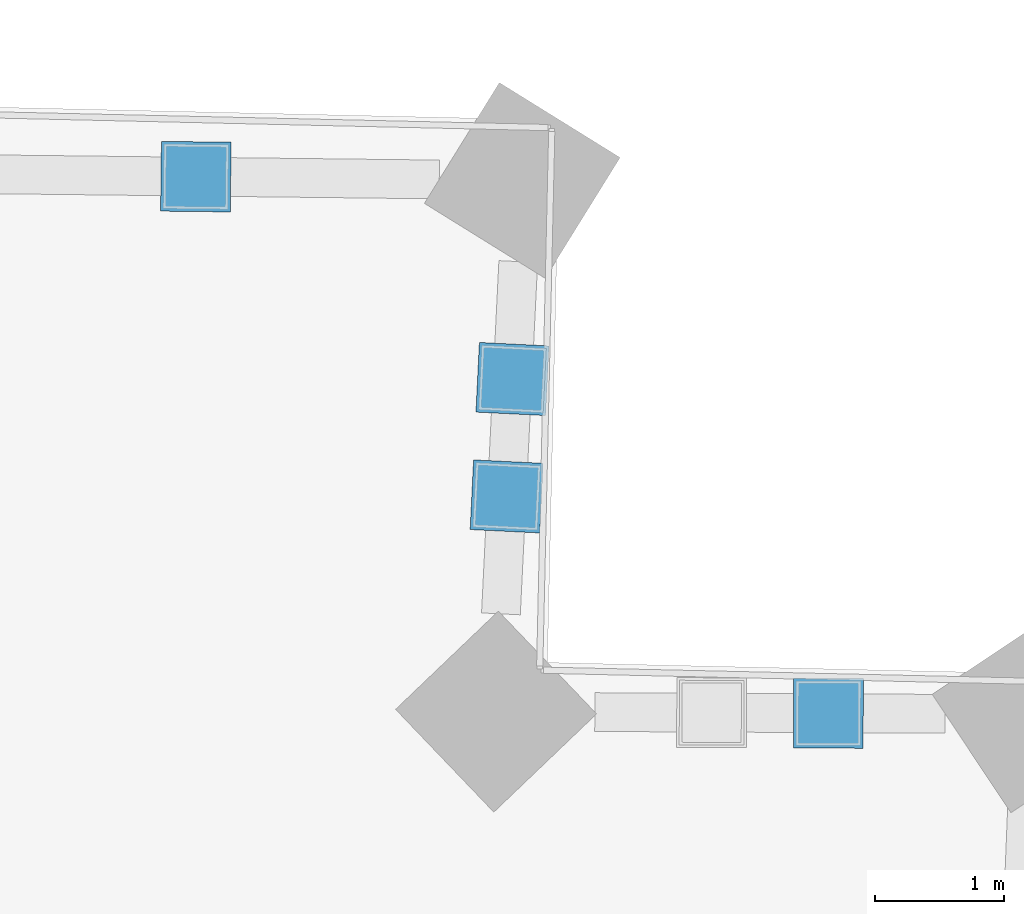
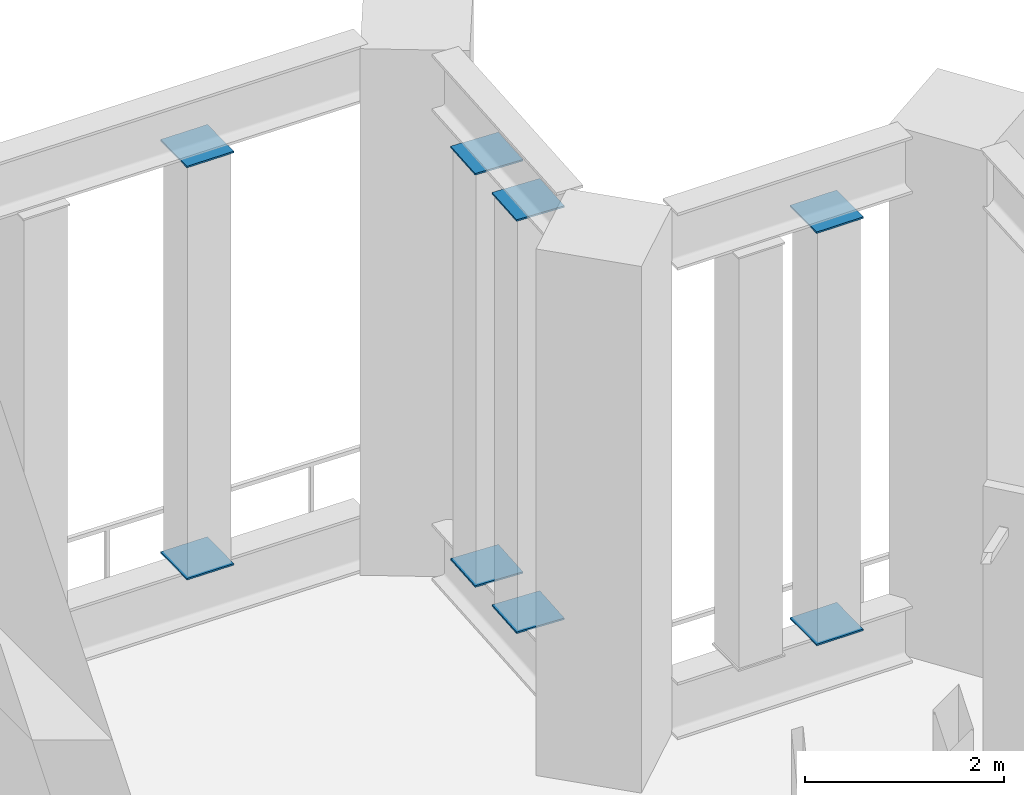
# One storey, part 27 of 33: 8 discrete accessories.
"""IFC4 building model written with IfcOpenShell, lengths in metres."""

from ifc_helpers import new_model, si_unit, direction, frame, origin, origin_2d, place, context, subcontext, project, spatial, rectangle, extrude, material, layer, layer_set, type_object, element, save


model = new_model("IFC4")

# Units and contexts
model_context = context("Model", 3, precision=1e-05, world=origin(), true_north=direction((0.0, 1.0)))
body_context = subcontext(model_context, "Body", "Model", "MODEL_VIEW")
ifc_project = project(units=[si_unit("LENGTHUNIT", "METRE"), si_unit("AREAUNIT", "SQUARE_METRE"), si_unit("VOLUMEUNIT", "CUBIC_METRE"), si_unit("PLANEANGLEUNIT", "RADIAN"), si_unit("MASSUNIT", "GRAM", prefix="KILO")], contexts=[model_context])

# Site, building, storey
site_placement = place(None, origin())
site = spatial("IfcSite", under=ifc_project, at=site_placement, CompositionType="ELEMENT")
building_placement = place(site_placement, origin())
building = spatial("IfcBuilding", under=site, at=building_placement, Name="Mangrove Gate Tower", CompositionType="ELEMENT")
storey_placement = place(building_placement, frame((0.0, 0.0, 219.5)))
storey = spatial("IfcBuildingStorey", under=building, at=storey_placement, Name="L56", CompositionType="ELEMENT", Elevation=219.5)

# Discrete accessories
ifc_material = material(Name="Steel S355J2H", Category="steel")
ifc_layer = layer(ifc_material, 0.02001953125)
ifc_layer_set = layer_set([ifc_layer], Name="Belt truss end plate 540x540x20")
discrete_accessory_type = type_object("IfcDiscreteAccessoryType", Name="Belt truss end plate 540x540x20", PredefinedType="ANCHORPLATE", material=ifc_layer_set)
for number, where, z_axis, x_axis, name in (
    (1, (22.66943359375, 19.66064453125, 0.68994140625), (0.0, 0.0, 1.0), (-0.9999887016, 0.004753595755, 0.0), "Belt truss end plate L56 17-1 bottom"),
    (2, (22.66943359375, 19.66064453125, 5.739990234375), (0.0, 0.0, 1.0), (-0.9999887016, 0.004753595755, 0.0), "Belt truss end plate L56 17-1 top"),
    (3, (20.179443359375, 21.3388671875, 0.68994140625), (0.0, 0.0, 1.0), (0.04921075789, 0.998788416687, 0.0), "Belt truss end plate L56 18-1 bottom"),
    (4, (20.179443359375, 21.3388671875, 5.739990234375), (0.0, 0.0, 1.0), (0.04921075789, 0.998788416687, 0.0), "Belt truss end plate L56 18-1 top"),
    (5, (20.224365234375, 22.247802734375, 0.68994140625), (0.0, 0.0, 1.0), (0.04921075789, 0.998788416687, 0.0), "Belt truss end plate L56 18-2 bottom"),
    (6, (20.224365234375, 22.247802734375, 5.739990234375), (0.0, 0.0, 1.0), (0.04921075789, 0.998788416687, 0.0), "Belt truss end plate L56 18-2 top"),
    (7, (17.7734375, 23.81396484375, 0.68994140625), (0.0, 0.0, 1.0), (-0.999932615041, 0.011608849119, 0.0), "Belt truss end plate L56 19-1 bottom"),
    (8, (17.7734375, 23.81396484375, 5.739990234375), (0.0, 0.0, 1.0), (-0.999932615041, 0.011608849119, 0.0), "Belt truss end plate L56 19-1 top"),
):
    element("IfcDiscreteAccessory", number, at=place(storey_placement, frame(where, z_axis=z_axis, x_axis=x_axis)), inside=storey, type_object=discrete_accessory_type, Name=name, PredefinedType="ANCHORPLATE", context=body_context, shape_type="SweptSolid", body=[
        extrude(rectangle(XDim=0.5400390625, YDim=0.5400390625, at=origin_2d()), origin(), (0.0, 0.0, 1.0), 0.02001953125),
    ])

save(model, "model.ifc")
